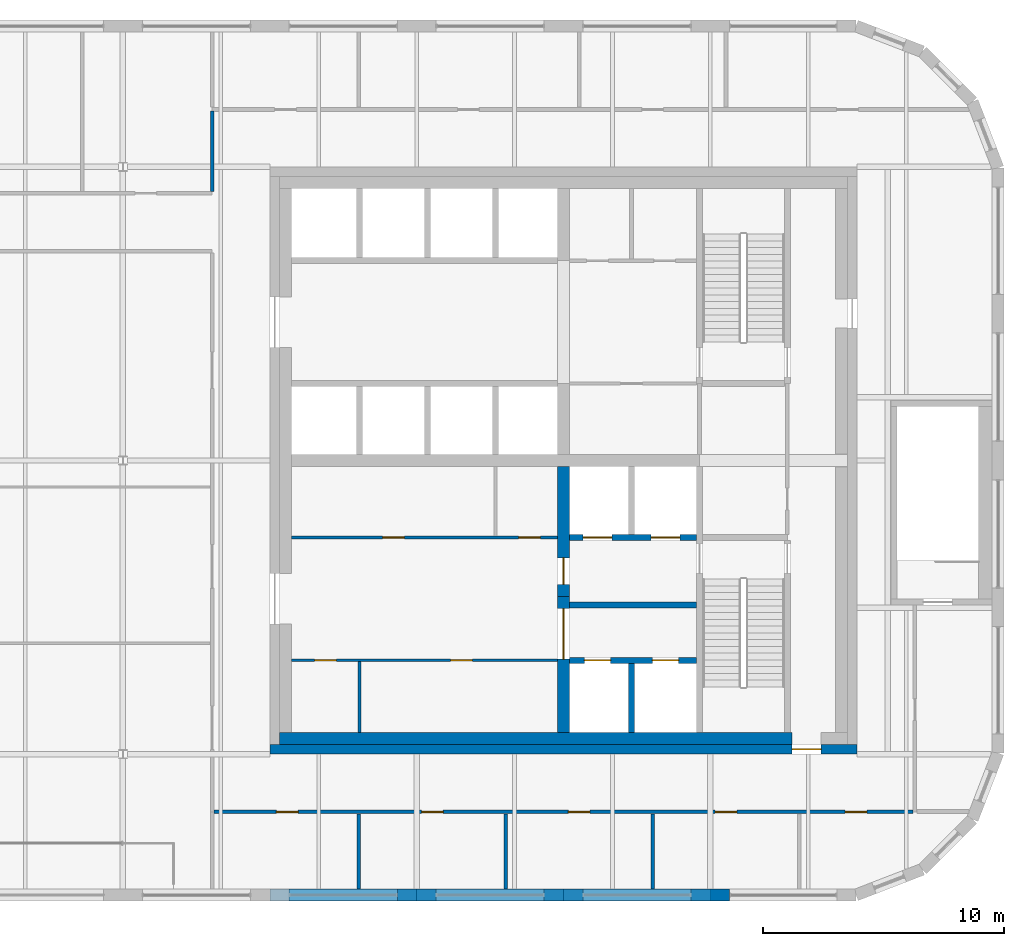
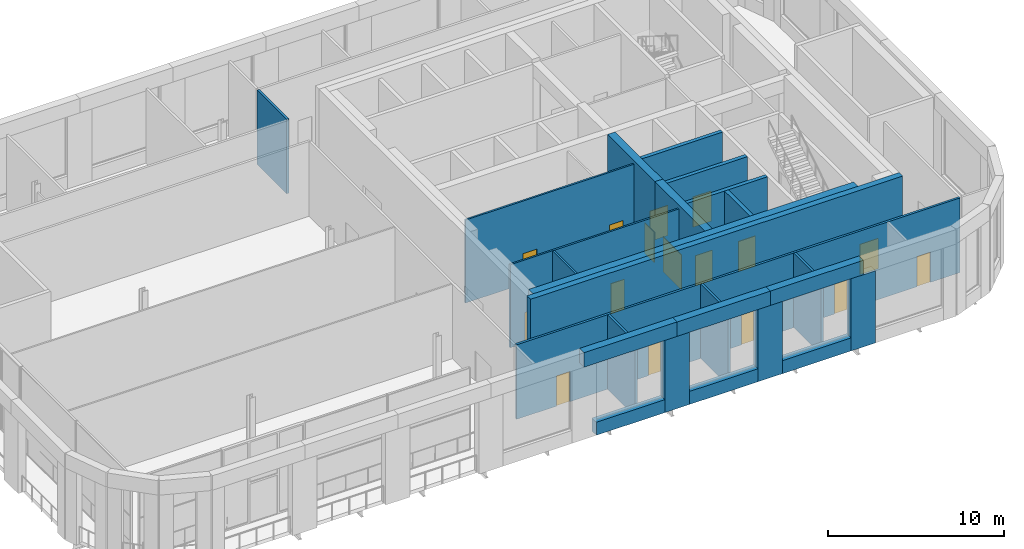
# One storey, part 13 of 19: 25 walls, 16 doors, 16 openings.
"""IFC4 building model written with IfcOpenShell, lengths in metres."""

from ifc_helpers import new_model, si_unit, direction, frame, frame_2d, origin, place, context, subcontext, project, spatial, polyline, rectangle, outline, extrude, faceted_brep, source, transform, mapped, material, layer, layer_set, type_object, element, fill, save


model = new_model("IFC4")

# Units and contexts
model_context = context("Model", 3, precision=1e-05, world=origin(), true_north=direction((0.0, 1.0)))
body_context = subcontext(model_context, "Body", "Model", "MODEL_VIEW")
ifc_project = project(units=[si_unit("LENGTHUNIT", "METRE"), si_unit("AREAUNIT", "SQUARE_METRE"), si_unit("VOLUMEUNIT", "CUBIC_METRE"), si_unit("PLANEANGLEUNIT", "RADIAN"), si_unit("MASSUNIT", "GRAM", prefix="KILO")], contexts=[model_context])

# Site, building, storey
site_placement = place(None, origin())
site = spatial("IfcSite", under=ifc_project, at=site_placement, CompositionType="ELEMENT")
building_placement = place(site_placement, origin())
building = spatial("IfcBuilding", under=site, at=building_placement, Name="Tessera Gate Towers", CompositionType="ELEMENT")
storey_placement = place(building_placement, frame((0.0, 0.0, 259.699951171875)))
storey = spatial("IfcBuildingStorey", under=building, at=storey_placement, Name="L65", CompositionType="ELEMENT", Elevation=259.699951171875)

# Wall, openings, doors
ifc_material_1 = material(Name="Concrete C40/50", Category="concrete")
ifc_layer_1 = layer(ifc_material_1, 0.25)
ifc_layer_set_1 = layer_set([ifc_layer_1], Name="CORE ENCLOSURE WALL 250")
wall_type_1 = type_object("IfcWallType", Name="CORE ENCLOSURE WALL 250", PredefinedType="SOLIDWALL", material=ifc_layer_set_1)
wall_1_placement = place(storey_placement, frame((48.22509765625, 33.39990234375, 0.0), z_axis=(0.0, 0.0, 1.0), x_axis=(-1.0, 0.0, 0.0)))
wall_1 = element("IfcWall", 1, at=wall_1_placement, inside=storey, type_object=wall_type_1, Name="L65 shaft and stair enclosure wall", PredefinedType="SOLIDWALL", context=body_context, shape_type="SweptSolid", body=[
    extrude(rectangle(XDim=5.275146484375, YDim=0.25, at=frame_2d((2.6376953125, 0.0))), origin(), (0.0, 0.0, 1.0), 6.0),
])
shared_shape_1 = source(origin(), body_context, "Body", "SweptSolid", [
    extrude(rectangle(XDim=1.199951171875, YDim=2.10009765625, at=frame_2d((0.60009765625, 1.050048828125))), frame((0.0, 0.135009765625, 0.0), z_axis=(0.0, -1.0, 0.0), x_axis=(1.0, 0.0, 0.0)), (0.0, 0.0, 1.0), 0.27001953125),
])
opening_1_placement = place(wall_1_placement, frame((3.512451171875, 0.0, 0.0)))
opening_1 = element("IfcOpeningElement", 2, at=opening_1_placement, cuts=wall_1, Name="Opening LD-FF1", PredefinedType="OPENING", context=body_context, shape_type="MappedRepresentation", body=[
    mapped(shared_shape_1, transform((0.0, 0.0, 0.0), scale=1.0)),
])
opening_2_placement = place(wall_1_placement, frame((0.6875, 0.0, 0.0)))
opening_2 = element("IfcOpeningElement", 3, at=opening_2_placement, cuts=wall_1, Name="Opening LD-FF2", PredefinedType="OPENING", context=body_context, shape_type="MappedRepresentation", body=[
    mapped(shared_shape_1, transform((0.0, 0.0, 0.0), scale=1.0)),
])
ifc_material_2 = material(Name="Stainless steel", Category="steel")
door_type_1 = type_object("IfcDoorType", Name="CORE DOOR LD1200 1200x2100", OperationType="DOUBLE_DOOR_SLIDING", PredefinedType="DOOR", material=ifc_material_2)
shared_shape_2 = source(origin(), body_context, "Body", "SweptSolid", [
    extrude(rectangle(XDim=1.199951171875, YDim=2.10009765625, at=frame_2d((0.60009765625, 1.050048828125))), frame((0.0, 0.02490234375, 0.0), z_axis=(0.0, -1.0, 0.0), x_axis=(1.0, 0.0, 0.0)), (0.0, 0.0, 1.0), 0.050048828125),
])
door_1_placement = place(opening_1_placement, origin())
door_1 = element("IfcDoor", 4, at=door_1_placement, inside=storey, type_object=door_type_1, Name="Landing door FF1 L65", OperationType="DOUBLE_DOOR_SLIDING", OverallHeight=2.10009765625, OverallWidth=1.199951171875, PredefinedType="DOOR", context=body_context, shape_type="MappedRepresentation", body=[
    mapped(shared_shape_2, transform((0.0, 0.0, 0.0), scale=1.0)),
])
fill(opening_1, door_1)
door_2_placement = place(opening_2_placement, origin())
door_2 = element("IfcDoor", 5, at=door_2_placement, inside=storey, type_object=door_type_1, Name="Landing door FF2 L65", OperationType="DOUBLE_DOOR_SLIDING", OverallHeight=2.10009765625, OverallWidth=1.199951171875, PredefinedType="DOOR", context=body_context, shape_type="MappedRepresentation", body=[
    mapped(shared_shape_2, transform((0.0, 0.0, 0.0), scale=1.0)),
])
fill(opening_2, door_2)

wall_2_placement = place(storey_placement, frame((42.949951171875, 28.300048828125, 0.0), z_axis=(0.0, 0.0, 1.0), x_axis=(1.0, 0.0, 0.0)))
wall_2 = element("IfcWall", 6, at=wall_2_placement, inside=storey, type_object=wall_type_1, Name="L65 shaft and stair enclosure wall", PredefinedType="SOLIDWALL", context=body_context, shape_type="SweptSolid", body=[
    extrude(rectangle(XDim=5.275146484375, YDim=0.25, at=frame_2d((2.6376953125, 0.0))), origin(), (0.0, 0.0, 1.0), 6.0),
])
shared_shape_3 = source(origin(), body_context, "Body", "SweptSolid", [
    extrude(rectangle(XDim=1.10009765625, YDim=2.10009765625, at=frame_2d((0.550048828125, 1.050048828125))), frame((0.0, 0.135009765625, 0.0), z_axis=(0.0, -1.0, 0.0), x_axis=(1.0, 0.0, 0.0)), (0.0, 0.0, 1.0), 0.27001953125),
])
opening_3_placement = place(wall_2_placement, frame((0.612548828125, 0.0, 0.0)))
opening_3 = element("IfcOpeningElement", 7, at=opening_3_placement, cuts=wall_2, Name="Opening LD-OB1", PredefinedType="OPENING", context=body_context, shape_type="MappedRepresentation", body=[
    mapped(shared_shape_3, transform((0.0, 0.0, 0.0), scale=1.0)),
])
opening_4_placement = place(wall_2_placement, frame((3.4375, 0.0, 0.0)))
opening_4 = element("IfcOpeningElement", 8, at=opening_4_placement, cuts=wall_2, Name="Opening LD-OB2", PredefinedType="OPENING", context=body_context, shape_type="MappedRepresentation", body=[
    mapped(shared_shape_3, transform((0.0, 0.0, 0.0), scale=1.0)),
])
ifc_material_3 = material(Name="Stainless steel", Category="steel")
door_type_2 = type_object("IfcDoorType", Name="CORE DOOR LD 1100x2100", OperationType="DOUBLE_DOOR_SLIDING", PredefinedType="DOOR", material=ifc_material_3)
shared_shape_4 = source(origin(), body_context, "Body", "SweptSolid", [
    extrude(rectangle(XDim=1.10009765625, YDim=2.10009765625, at=frame_2d((0.550048828125, 1.050048828125))), frame((0.0, 0.02490234375, 0.0), z_axis=(0.0, -1.0, 0.0), x_axis=(1.0, 0.0, 0.0)), (0.0, 0.0, 1.0), 0.050048828125),
])
door_3_placement = place(opening_3_placement, origin())
door_3 = element("IfcDoor", 9, at=door_3_placement, inside=storey, type_object=door_type_2, Name="Landing door OB1 L65", OperationType="DOUBLE_DOOR_SLIDING", OverallHeight=2.10009765625, OverallWidth=1.10009765625, PredefinedType="DOOR", context=body_context, shape_type="MappedRepresentation", body=[
    mapped(shared_shape_4, transform((0.0, 0.0, 0.0), scale=1.0)),
])
fill(opening_3, door_3)
door_4_placement = place(opening_4_placement, origin())
door_4 = element("IfcDoor", 10, at=door_4_placement, inside=storey, type_object=door_type_2, Name="Landing door OB2 L65", OperationType="DOUBLE_DOOR_SLIDING", OverallHeight=2.10009765625, OverallWidth=1.10009765625, PredefinedType="DOOR", context=body_context, shape_type="MappedRepresentation", body=[
    mapped(shared_shape_4, transform((0.0, 0.0, 0.0), scale=1.0)),
])
fill(opening_4, door_4)

# Walls
wall_3_placement = place(storey_placement, frame((42.949951171875, 30.60009765625, 0.0), z_axis=(0.0, 0.0, 1.0), x_axis=(1.0, 0.0, 0.0)))
element("IfcWall", 11, at=wall_3_placement, inside=storey, type_object=wall_type_1, Name="L65 shaft and stair enclosure wall", PredefinedType="SOLIDWALL", context=body_context, shape_type="SweptSolid", body=[
    extrude(rectangle(XDim=5.275146484375, YDim=0.25, at=frame_2d((2.6376953125, 0.0))), origin(), (0.0, 0.0, 1.0), 6.0),
])
wall_4_placement = place(storey_placement, frame((45.52490234375, 25.300048828125, 0.0), z_axis=(0.0, 0.0, 1.0), x_axis=(0.0, 1.0, 0.0)))
element("IfcWall", 12, at=wall_4_placement, inside=storey, type_object=wall_type_1, Name="L65 shaft and stair enclosure wall", PredefinedType="SOLIDWALL", context=body_context, shape_type="SweptSolid", body=[
    extrude(rectangle(XDim=2.875, YDim=0.25, at=frame_2d((1.4375, 0.0))), origin(), (0.0, 0.0, 1.0), 6.0),
])

# Wall, openings, doors
ifc_material_4 = material(Name="Gypsum board on steel studs", Category="steel")
ifc_layer_2 = layer(ifc_material_4, 0.1201171875)
ifc_layer_set_2 = layer_set([ifc_layer_2], Name="CORE PARTITION 120")
wall_type_2 = type_object("IfcWallType", Name="CORE PARTITION 120", PredefinedType="PARTITIONING", material=ifc_layer_set_2)
wall_5_placement = place(storey_placement, frame((42.449951171875, 28.300048828125, 0.0), z_axis=(0.0, 0.0, 1.0), x_axis=(-1.0, 0.0, 0.0)))
wall_5 = element("IfcWall", 13, at=wall_5_placement, inside=storey, type_object=wall_type_2, Name="L65 core partition", PredefinedType="PARTITIONING", context=body_context, shape_type="SweptSolid", body=[
    extrude(rectangle(XDim=11.050048828125, YDim=0.1201171875, at=frame_2d((5.52490234375, 0.0))), origin(), (0.0, 0.0, 1.0), 5.75),
])
shared_shape_5 = source(origin(), body_context, "Body", "SweptSolid", [
    extrude(rectangle(XDim=0.89990234375, YDim=2.10009765625, at=frame_2d((0.449951171875, 1.050048828125))), frame((0.0, 0.070068359375, 0.0), z_axis=(0.0, -1.0, 0.0), x_axis=(1.0, 0.0, 0.0)), (0.0, 0.0, 1.0), 0.14013671875),
])
opening_5_placement = place(wall_5_placement, frame((9.1875, 0.0, 0.0)))
opening_5 = element("IfcOpeningElement", 14, at=opening_5_placement, cuts=wall_5, Name="Opening RD-T1-39-07", PredefinedType="OPENING", context=body_context, shape_type="MappedRepresentation", body=[
    mapped(shared_shape_5, transform((0.0, 0.0, 0.0), scale=1.0)),
])
opening_6_placement = place(wall_5_placement, frame((3.53759765625, 0.0, 0.0)))
opening_6 = element("IfcOpeningElement", 15, at=opening_6_placement, cuts=wall_5, Name="Opening RD-T1-39-08", PredefinedType="OPENING", context=body_context, shape_type="MappedRepresentation", body=[
    mapped(shared_shape_5, transform((0.0, 0.0, 0.0), scale=1.0)),
])
ifc_material_5 = material(Name="Hollow steel fire door", Category="steel")
door_type_3 = type_object("IfcDoorType", Name="CORE DOOR RD 900x2100", OperationType="NOTDEFINED", PredefinedType="DOOR", material=ifc_material_5)
shared_shape_6 = source(origin(), body_context, "Body", "SweptSolid", [
    extrude(rectangle(XDim=0.89990234375, YDim=2.10009765625, at=frame_2d((0.449951171875, 1.050048828125))), frame((0.0, 0.02490234375, 0.0), z_axis=(0.0, -1.0, 0.0), x_axis=(1.0, 0.0, 0.0)), (0.0, 0.0, 1.0), 0.050048828125),
])
door_5_placement = place(opening_5_placement, origin())
door_5 = element("IfcDoor", 16, at=door_5_placement, inside=storey, type_object=door_type_3, Name="Core room door", OperationType="SINGLE_SWING_RIGHT", OverallHeight=2.10009765625, OverallWidth=0.89990234375, PredefinedType="DOOR", context=body_context, shape_type="MappedRepresentation", body=[
    mapped(shared_shape_6, transform((0.0, 0.0, 0.0), scale=1.0)),
])
fill(opening_5, door_5)
door_6_placement = place(opening_6_placement, origin())
door_6 = element("IfcDoor", 17, at=door_6_placement, inside=storey, type_object=door_type_3, Name="Core room door", OperationType="SINGLE_SWING_LEFT", OverallHeight=2.10009765625, OverallWidth=0.89990234375, PredefinedType="DOOR", context=body_context, shape_type="MappedRepresentation", body=[
    mapped(shared_shape_6, transform((0.0, 0.0, 0.0), scale=1.0)),
])
fill(opening_6, door_6)

wall_6_placement = place(storey_placement, frame((31.39990234375, 33.39990234375, 0.0), z_axis=(0.0, 0.0, 1.0), x_axis=(1.0, 0.0, 0.0)))
wall_6 = element("IfcWall", 18, at=wall_6_placement, inside=storey, type_object=wall_type_2, Name="L65 core partition", PredefinedType="PARTITIONING", context=body_context, shape_type="SweptSolid", body=[
    extrude(rectangle(XDim=11.050048828125, YDim=0.1201171875, at=frame_2d((5.52490234375, 0.0))), origin(), (0.0, 0.0, 1.0), 5.75),
])
opening_7_placement = place(wall_6_placement, frame((3.78759765625, 0.0, 0.0)))
opening_7 = element("IfcOpeningElement", 19, at=opening_7_placement, cuts=wall_6, Name="Opening RD-T1-39-09", PredefinedType="OPENING", context=body_context, shape_type="MappedRepresentation", body=[
    mapped(shared_shape_5, transform((0.0, 0.0, 0.0), scale=1.0)),
])
opening_8_placement = place(wall_6_placement, frame((9.4375, 0.0, 0.0)))
opening_8 = element("IfcOpeningElement", 20, at=opening_8_placement, cuts=wall_6, Name="Opening RD-T1-39-10", PredefinedType="OPENING", context=body_context, shape_type="MappedRepresentation", body=[
    mapped(shared_shape_5, transform((0.0, 0.0, 0.0), scale=1.0)),
])
door_7_placement = place(opening_7_placement, origin())
door_7 = element("IfcDoor", 21, at=door_7_placement, inside=storey, type_object=door_type_3, Name="Core room door", OperationType="SINGLE_SWING_LEFT", OverallHeight=2.10009765625, OverallWidth=0.89990234375, PredefinedType="DOOR", context=body_context, shape_type="MappedRepresentation", body=[
    mapped(shared_shape_6, transform((0.0, 0.0, 0.0), scale=1.0)),
])
fill(opening_7, door_7)
door_8_placement = place(opening_8_placement, origin())
door_8 = element("IfcDoor", 22, at=door_8_placement, inside=storey, type_object=door_type_3, Name="Core room door", OperationType="SINGLE_SWING_RIGHT", OverallHeight=2.10009765625, OverallWidth=0.89990234375, PredefinedType="DOOR", context=body_context, shape_type="MappedRepresentation", body=[
    mapped(shared_shape_6, transform((0.0, 0.0, 0.0), scale=1.0)),
])
fill(opening_8, door_8)

# Wall
wall_7_placement = place(storey_placement, frame((34.22509765625, 25.300048828125, 0.0), z_axis=(0.0, 0.0, 1.0), x_axis=(0.0, 1.0, 0.0)))
element("IfcWall", 23, at=wall_7_placement, inside=storey, type_object=wall_type_2, Name="L65 core partition", PredefinedType="PARTITIONING", context=body_context, shape_type="SweptSolid", body=[
    extrude(rectangle(XDim=2.93994140625, YDim=0.1201171875, at=frame_2d((1.469970703125, 0.0))), origin(), (0.0, 0.0, 1.0), 5.75),
])

# Wall, opening, door
ifc_material_6 = material(Name="Concrete C40/50", Category="concrete")
ifc_layer_3 = layer(ifc_material_6, 0.39990234375)
ifc_layer_set_3 = layer_set([ifc_layer_3], Name="CORE SHEAR WALL 400 C40/50")
wall_type_3 = type_object("IfcWallType", Name="CORE SHEAR WALL 400 C40/50", PredefinedType="SHEAR", material=ifc_layer_set_3)
wall_8_placement = place(storey_placement, frame((54.89990234375, 24.60009765625, 0.0), z_axis=(0.0, 0.0, 1.0), x_axis=(-1.0, 0.0, 0.0)))
wall_8 = element("IfcWall", 24, at=wall_8_placement, inside=storey, type_object=wall_type_3, Name="Core wall S L65", PredefinedType="SHEAR", context=body_context, shape_type="SweptSolid", body=[
    extrude(rectangle(XDim=24.39990234375, YDim=0.39990234375, at=frame_2d((12.199951171875, 0.0))), origin(), (0.0, 0.0, 1.0), 6.0),
])
shared_shape_7 = source(origin(), body_context, "Body", "SweptSolid", [
    extrude(rectangle(XDim=1.199951171875, YDim=2.10009765625, at=frame_2d((0.60009765625, 1.050048828125))), frame((0.0, 0.2099609375, 0.0), z_axis=(0.0, -1.0, 0.0), x_axis=(1.0, 0.0, 0.0)), (0.0, 0.0, 1.0), 0.419921875),
])
opening_9_placement = place(wall_8_placement, frame((1.5, 0.0, 0.0)))
opening_9 = element("IfcOpeningElement", 25, at=opening_9_placement, cuts=wall_8, Name="Opening ED-T1-39-01", PredefinedType="OPENING", context=body_context, shape_type="MappedRepresentation", body=[
    mapped(shared_shape_7, transform((0.0, 0.0, 0.0), scale=1.0)),
])
ifc_material_7 = material(Name="Hollow steel fire door", Category="steel")
door_type_4 = type_object("IfcDoorType", Name="CORE DOOR ED 1200x2100", OperationType="NOTDEFINED", PredefinedType="DOOR", material=ifc_material_7)
door_9_placement = place(opening_9_placement, origin())
door_9 = element("IfcDoor", 26, at=door_9_placement, inside=storey, type_object=door_type_4, Name="Core exit door", OperationType="SINGLE_SWING_LEFT", OverallHeight=2.10009765625, OverallWidth=1.199951171875, PredefinedType="DOOR", context=body_context, shape_type="MappedRepresentation", body=[
    mapped(shared_shape_2, transform((0.0, 0.0, 0.0), scale=1.0)),
])
fill(opening_9, door_9)

ifc_material_8 = material(Name="Concrete C40/50", Category="concrete")
ifc_layer_4 = layer(ifc_material_8, 0.5)
ifc_layer_set_4 = layer_set([ifc_layer_4], Name="CORE SPINE WALL 500 C40/50")
wall_type_4 = type_object("IfcWallType", Name="CORE SPINE WALL 500 C40/50", PredefinedType="SHEAR", material=ifc_layer_set_4)
wall_9_placement = place(storey_placement, frame((42.699951171875, 25.300048828125, 0.0), z_axis=(0.0, 0.0, 1.0), x_axis=(0.0, 1.0, 0.0)))
wall_9 = element("IfcWall", 27, at=wall_9_placement, inside=storey, type_object=wall_type_4, Name="Core wall spine L65", PredefinedType="SHEAR", context=body_context, shape_type="SweptSolid", body=[
    extrude(rectangle(XDim=5.64990234375, YDim=0.5, at=frame_2d((2.824951171875, 0.0))), origin(), (0.0, 0.0, 1.0), 6.0),
])
shared_shape_8 = source(origin(), body_context, "Body", "SweptSolid", [
    extrude(rectangle(XDim=2.10009765625, YDim=2.39990234375, at=frame_2d((1.050048828125, 1.199951171875))), frame((0.0, 0.260009765625, 0.0), z_axis=(0.0, -1.0, 0.0), x_axis=(1.0, 0.0, 0.0)), (0.0, 0.0, 1.0), 0.52001953125),
])
opening_10_placement = place(wall_9_placement, frame((3.050048828125, 0.0, 0.0)))
opening_10 = element("IfcOpeningElement", 28, at=opening_10_placement, cuts=wall_9, Name="Opening DD-T1-39-05", PredefinedType="OPENING", context=body_context, shape_type="MappedRepresentation", body=[
    mapped(shared_shape_8, transform((0.0, 0.0, 0.0), scale=1.0)),
])
ifc_material_9 = material(Name="Hollow steel fire door", Category="steel")
door_type_5 = type_object("IfcDoorType", Name="CORE DOOR DD 2100x2400", OperationType="NOTDEFINED", PredefinedType="DOOR", material=ifc_material_9)
shared_shape_9 = source(origin(), body_context, "Body", "SweptSolid", [
    extrude(rectangle(XDim=2.10009765625, YDim=2.39990234375, at=frame_2d((1.050048828125, 1.199951171875))), frame((0.0, 0.02490234375, 0.0), z_axis=(0.0, -1.0, 0.0), x_axis=(1.0, 0.0, 0.0)), (0.0, 0.0, 1.0), 0.050048828125),
])
door_10_placement = place(opening_10_placement, origin())
door_10 = element("IfcDoor", 29, at=door_10_placement, inside=storey, type_object=door_type_5, Name="Lift lobby door", OperationType="DOUBLE_DOOR_SINGLE_SWING", OverallHeight=2.39990234375, OverallWidth=2.10009765625, PredefinedType="DOOR", context=body_context, shape_type="MappedRepresentation", body=[
    mapped(shared_shape_9, transform((0.0, 0.0, 0.0), scale=1.0)),
])
fill(opening_10, door_10)

wall_10_placement = place(storey_placement, frame((42.699951171875, 36.35009765625, 0.0), z_axis=(0.0, 0.0, 1.0), x_axis=(0.0, -1.0, 0.0)))
wall_10 = element("IfcWall", 30, at=wall_10_placement, inside=storey, type_object=wall_type_4, Name="Core wall spine L65", PredefinedType="SHEAR", context=body_context, shape_type="SweptSolid", body=[
    extrude(rectangle(XDim=5.400146484375, YDim=0.5, at=frame_2d((2.7001953125, 0.0))), origin(), (0.0, 0.0, 1.0), 6.0),
])
shared_shape_10 = source(origin(), body_context, "Body", "SweptSolid", [
    extrude(rectangle(XDim=1.10009765625, YDim=2.10009765625, at=frame_2d((0.550048828125, 1.050048828125))), frame((0.0, 0.260009765625, 0.0), z_axis=(0.0, -1.0, 0.0), x_axis=(1.0, 0.0, 0.0)), (0.0, 0.0, 1.0), 0.52001953125),
])
opening_11_placement = place(wall_10_placement, frame((3.800048828125, 0.0, 0.0)))
opening_11 = element("IfcOpeningElement", 31, at=opening_11_placement, cuts=wall_10, Name="Opening FD-T1-39-06", PredefinedType="OPENING", context=body_context, shape_type="MappedRepresentation", body=[
    mapped(shared_shape_10, transform((0.0, 0.0, 0.0), scale=1.0)),
])
ifc_material_10 = material(Name="Hollow steel fire door", Category="steel")
door_type_6 = type_object("IfcDoorType", Name="CORE DOOR FD 1100x2100", OperationType="NOTDEFINED", PredefinedType="DOOR", material=ifc_material_10)
door_11_placement = place(opening_11_placement, origin())
door_11 = element("IfcDoor", 32, at=door_11_placement, inside=storey, type_object=door_type_6, Name="Fire-fighting lobby door", OperationType="SINGLE_SWING_RIGHT", OverallHeight=2.10009765625, OverallWidth=1.10009765625, PredefinedType="DOOR", context=body_context, shape_type="MappedRepresentation", body=[
    mapped(shared_shape_4, transform((0.0, 0.0, 0.0), scale=1.0)),
])
fill(opening_11, door_11)

# Wall
ifc_material_11 = material(Name="Concrete C40/50", Category="concrete")
ifc_layer_5 = layer(ifc_material_11, 0.5)
ifc_layer_set_5 = layer_set([ifc_layer_5], Name="CORE WALL THICKENING 500")
wall_type_5 = type_object("IfcWallType", Name="CORE WALL THICKENING 500", PredefinedType="SOLIDWALL", material=ifc_layer_set_5)
wall_11_placement = place(storey_placement, frame((30.89990234375, 25.050048828125, 0.0), z_axis=(0.0, 0.0, 1.0), x_axis=(1.0, 0.0, 0.0)))
element("IfcWall", 33, at=wall_11_placement, inside=storey, type_object=wall_type_5, Name="Core wall thickening S L65", PredefinedType="SOLIDWALL", context=body_context, shape_type="SweptSolid", body=[
    extrude(rectangle(XDim=21.300048828125, YDim=0.5, at=frame_2d((10.64990234375, 0.0))), origin(), (0.0, 0.0, 1.0), 6.0),
])

# Wall, openings, doors
ifc_material_12 = material(Name="Gypsum board on steel studs, mineral wool", Category="steel")
ifc_layer_6 = layer(ifc_material_12, 0.14990234375)
ifc_layer_set_6 = layer_set([ifc_layer_6], Name="CORRIDOR WALL 150")
wall_type_6 = type_object("IfcWallType", Name="CORRIDOR WALL 150", PredefinedType="PARTITIONING", material=ifc_layer_set_6)
wall_12_placement = place(storey_placement, frame((57.22412109375, 22.0, 0.0), z_axis=(0.0, 0.0, 1.0), x_axis=(-1.0, 0.0, 0.0)))
wall_12 = element("IfcWall", 34, at=wall_12_placement, inside=storey, type_object=wall_type_6, Name="T1-L65-PW-007", PredefinedType="PARTITIONING", context=body_context, shape_type="SweptSolid", body=[
    extrude(rectangle(XDim=29.048095703125, YDim=0.14990234375, at=frame_2d((14.52392578125, 0.0))), origin(), (0.0, 0.0, 1.0), 5.1669921875),
])
shared_shape_11 = source(origin(), body_context, "Body", "SweptSolid", [
    extrude(rectangle(XDim=0.89990234375, YDim=2.10009765625, at=frame_2d((0.449951171875, 1.050048828125))), frame((0.0, 0.0849609375, 0.0), z_axis=(0.0, -1.0, 0.0), x_axis=(1.0, 0.0, 0.0)), (0.0, 0.0, 1.0), 0.169921875),
])
opening_12_placement = place(wall_12_placement, frame((1.923095703125, 0.0, 0.0)))
opening_12 = element("IfcOpeningElement", 35, at=opening_12_placement, cuts=wall_12, Name="Opening D890FD60-A34-01", PredefinedType="OPENING", context=body_context, shape_type="MappedRepresentation", body=[
    mapped(shared_shape_11, transform((0.0, 0.0, 0.0), scale=1.0)),
])
opening_13_placement = place(wall_12_placement, frame((25.548095703125, 0.0, 0.0)))
opening_13 = element("IfcOpeningElement", 36, at=opening_13_placement, cuts=wall_12, Name="Opening D890FD60-A34-03", PredefinedType="OPENING", context=body_context, shape_type="MappedRepresentation", body=[
    mapped(shared_shape_11, transform((0.0, 0.0, 0.0), scale=1.0)),
])
opening_14_placement = place(wall_12_placement, frame((19.52294921875, 0.0, 0.0)))
opening_14 = element("IfcOpeningElement", 37, at=opening_14_placement, cuts=wall_12, Name="Opening D890FD60-A34-05", PredefinedType="OPENING", context=body_context, shape_type="MappedRepresentation", body=[
    mapped(shared_shape_11, transform((0.0, 0.0, 0.0), scale=1.0)),
])
opening_15_placement = place(wall_12_placement, frame((7.322998046875, 0.0, 0.0)))
opening_15 = element("IfcOpeningElement", 38, at=opening_15_placement, cuts=wall_12, Name="Opening D890FD60-A34-08", PredefinedType="OPENING", context=body_context, shape_type="MappedRepresentation", body=[
    mapped(shared_shape_11, transform((0.0, 0.0, 0.0), scale=1.0)),
])
opening_16_placement = place(wall_12_placement, frame((13.424072265625, 0.0, 0.0)))
opening_16 = element("IfcOpeningElement", 39, at=opening_16_placement, cuts=wall_12, Name="Opening D890FD60-A34-09", PredefinedType="OPENING", context=body_context, shape_type="MappedRepresentation", body=[
    mapped(shared_shape_11, transform((0.0, 0.0, 0.0), scale=1.0)),
])
ifc_material_13 = material(Name="Timber door leaf in steel frame", Category="steel")
door_type_7 = type_object("IfcDoorType", Name="CORRIDOR DOOR 900 FD60", OperationType="NOTDEFINED", PredefinedType="DOOR", material=ifc_material_13)
door_12_placement = place(opening_12_placement, origin())
door_12 = element("IfcDoor", 40, at=door_12_placement, inside=storey, type_object=door_type_7, Name="T1-L65-PD-001", OperationType="SINGLE_SWING_RIGHT", OverallHeight=2.10009765625, OverallWidth=0.89990234375, PredefinedType="DOOR", context=body_context, shape_type="MappedRepresentation", body=[
    mapped(shared_shape_6, transform((0.0, 0.0, 0.0), scale=1.0)),
])
fill(opening_12, door_12)
door_13_placement = place(opening_13_placement, origin())
door_13 = element("IfcDoor", 41, at=door_13_placement, inside=storey, type_object=door_type_7, Name="T1-L65-PD-003", OperationType="SINGLE_SWING_RIGHT", OverallHeight=2.10009765625, OverallWidth=0.89990234375, PredefinedType="DOOR", context=body_context, shape_type="MappedRepresentation", body=[
    mapped(shared_shape_6, transform((0.0, 0.0, 0.0), scale=1.0)),
])
fill(opening_13, door_13)
door_14_placement = place(opening_14_placement, origin())
door_14 = element("IfcDoor", 42, at=door_14_placement, inside=storey, type_object=door_type_7, Name="T1-L65-PD-005", OperationType="SINGLE_SWING_RIGHT", OverallHeight=2.10009765625, OverallWidth=0.89990234375, PredefinedType="DOOR", context=body_context, shape_type="MappedRepresentation", body=[
    mapped(shared_shape_6, transform((0.0, 0.0, 0.0), scale=1.0)),
])
fill(opening_14, door_14)
door_15_placement = place(opening_15_placement, origin())
door_15 = element("IfcDoor", 43, at=door_15_placement, inside=storey, type_object=door_type_7, Name="T1-L65-PD-008", OperationType="SINGLE_SWING_RIGHT", OverallHeight=2.10009765625, OverallWidth=0.89990234375, PredefinedType="DOOR", context=body_context, shape_type="MappedRepresentation", body=[
    mapped(shared_shape_6, transform((0.0, 0.0, 0.0), scale=1.0)),
])
fill(opening_15, door_15)
door_16_placement = place(opening_16_placement, origin())
door_16 = element("IfcDoor", 44, at=door_16_placement, inside=storey, type_object=door_type_7, Name="T1-L65-PD-009", OperationType="SINGLE_SWING_RIGHT", OverallHeight=2.10009765625, OverallWidth=0.89990234375, PredefinedType="DOOR", context=body_context, shape_type="MappedRepresentation", body=[
    mapped(shared_shape_6, transform((0.0, 0.0, 0.0), scale=1.0)),
])
fill(opening_16, door_16)

# Walls
wall_13_placement = place(storey_placement, frame((28.10009765625, 47.77587890625, 0.0), z_axis=(0.0, 0.0, 1.0), x_axis=(0.0, 1.0, 0.0)))
element("IfcWall", 45, at=wall_13_placement, inside=storey, type_object=wall_type_6, Name="T1-L65-PW-017", PredefinedType="PARTITIONING", context=body_context, shape_type="SweptSolid", body=[
    extrude(rectangle(XDim=3.34814453125, YDim=0.14990234375, at=frame_2d((1.674072265625, 0.0))), origin(), (0.0, 0.0, 1.0), 5.1669921875),
])
ifc_material_14 = material(Name="Gypsum board on steel studs, mineral wool", Category="steel")
ifc_layer_7 = layer(ifc_material_14, 0.14990234375)
ifc_layer_set_7 = layer_set([ifc_layer_7], Name="TENANCY WALL 150")
wall_type_7 = type_object("IfcWallType", Name="TENANCY WALL 150", PredefinedType="PARTITIONING", material=ifc_layer_set_7)
for number, where, z_axis, x_axis, name in (
    (46, (34.199951171875, 18.800048828125, 0.0), (0.0, 0.0, 1.0), (0.0, 1.0, 0.0), "T1-L65-PW-002"),
    (47, (40.300048828125, 18.800048828125, 0.0), (0.0, 0.0, 1.0), (0.0, 1.0, 0.0), "T1-L65-PW-003"),
    (48, (46.39990234375, 18.800048828125, 0.0), (0.0, 0.0, 1.0), (0.0, 1.0, 0.0), "T1-L65-PW-004"),
):
    element("IfcWall", number, at=place(storey_placement, frame(where, z_axis=z_axis, x_axis=x_axis)), inside=storey, type_object=wall_type_7, Name=name, PredefinedType="PARTITIONING", context=body_context, shape_type="SweptSolid", body=[
        extrude(rectangle(XDim=3.1240234375, YDim=0.14990234375, at=frame_2d((1.56201171875, 0.0))), origin(), (0.0, 0.0, 1.0), 5.1669921875),
    ])
ifc_material_15 = material(Name="Precast concrete C60/75 white", Category="concrete")
ifc_layer_8 = layer(ifc_material_15, 0.5)
ifc_layer_set_8 = layer_set([ifc_layer_8], Name="RB1 ring band panel")
wall_type_8 = type_object("IfcWallType", Name="RB1 ring band panel", PredefinedType="SOLIDWALL", material=ifc_layer_set_8)
shared_shape_12 = source(origin(), body_context, "Body", "SweptSolid", [
    extrude(outline(polyline([(0.0, 0.0), (4.5, 0.0), (4.5, 0.900146484375), (0.0, 0.900146484375), (0.0, 0.0)])), frame((0.0, 0.25, 0.0), z_axis=(0.0, -1.0, 0.0), x_axis=(1.0, 0.0, 0.0)), (0.0, 0.0, 1.0), 0.5),
])
for number, where, z_axis, x_axis, name in (
    (49, (31.300048828125, 18.550048828125, 0.0), (0.0, 0.0, 1.0), (1.0, 0.0, 0.0), "Ring band panel T1 RB1-0425"),
    (50, (37.39990234375, 18.550048828125, 0.0), (0.0, 0.0, 1.0), (1.0, 0.0, 0.0), "Ring band panel T1 RB1-0427"),
    (51, (43.5, 18.550048828125, 0.0), (0.0, 0.0, 1.0), (1.0, 0.0, 0.0), "Ring band panel T1 RB1-0429"),
):
    element("IfcWall", number, at=place(storey_placement, frame(where, z_axis=z_axis, x_axis=x_axis)), inside=storey, type_object=wall_type_8, Name=name, PredefinedType="SOLIDWALL", context=body_context, shape_type="MappedRepresentation", body=[
        mapped(shared_shape_12, transform((0.0, 0.0, 0.0), scale=1.0)),
    ])
shared_shape_13 = source(origin(), body_context, "Body", "SweptSolid", [
    extrude(outline(polyline([(0.0, 0.0), (1.60009765625, 0.0), (1.60009765625, 5.0), (0.0, 5.0), (0.0, 0.0)])), frame((0.0, 0.25, 0.0), z_axis=(0.0, -1.0, 0.0), x_axis=(1.0, 0.0, 0.0)), (0.0, 0.0, 1.0), 0.5),
])
for number, where, z_axis, x_axis, name in (
    (52, (41.89990234375, 18.550048828125, 0.0), (0.0, 0.0, 1.0), (1.0, 0.0, 0.0), "Ring band panel T1 RB1-0417"),
    (53, (48.0, 18.550048828125, 0.0), (0.0, 0.0, 1.0), (1.0, 0.0, 0.0), "Ring band panel T1 RB1-0418"),
):
    element("IfcWall", number, at=place(storey_placement, frame(where, z_axis=z_axis, x_axis=x_axis)), inside=storey, type_object=wall_type_8, Name=name, PredefinedType="SOLIDWALL", context=body_context, shape_type="MappedRepresentation", body=[
        mapped(shared_shape_13, transform((0.0, 0.0, 0.0), scale=1.0)),
    ])
shared_shape_14 = source(origin(), body_context, "Body", "Brep", [
    faceted_brep([(0.0, -0.25, 0.0), (1.599853515625, -0.25, 0.0), (1.599853515625, -0.25, 5.0), (0.0, -0.25, 5.0), (0.0, 0.25, 5.0), (1.599853515625, 0.25, 5.0), (1.599853515625, 0.25, 0.0), (0.0, 0.25, 0.0)], [[[0, 1, 2, 3]], [[4, 5, 6, 7]], [[7, 6, 1, 0]], [[5, 4, 3, 2]], [[4, 7, 0, 3]], [[1, 6, 5, 2]]]),
])
wall_14_placement = place(storey_placement, frame((35.800048828125, 18.550048828125, 0.0), z_axis=(0.0, 0.0, 1.0), x_axis=(1.0, 0.0, 0.0)))
element("IfcWall", 54, at=wall_14_placement, inside=storey, type_object=wall_type_8, Name="Ring band panel T1 RB1-0416", PredefinedType="SOLIDWALL", context=body_context, shape_type="MappedRepresentation", body=[
    mapped(shared_shape_14, transform((0.0, 0.0, 0.0), scale=1.0)),
])
shared_shape_15 = source(origin(), body_context, "Body", "SweptSolid", [
    extrude(outline(polyline([(0.0, 0.0), (6.10009765625, 0.0), (6.10009765625, 1.0), (0.0, 1.0), (0.0, 0.0)])), frame((0.0, 0.25, 0.0), z_axis=(0.0, -1.0, 0.0), x_axis=(1.0, 0.0, 0.0)), (0.0, 0.0, 1.0), 0.5),
])
for number, where, z_axis, x_axis, name in (
    (55, (30.5, 18.550048828125, 5.0), (0.0, 0.0, 1.0), (1.0, 0.0, 0.0), "Ring band panel T1 RB1-0426"),
    (56, (42.699951171875, 18.550048828125, 5.0), (0.0, 0.0, 1.0), (1.0, 0.0, 0.0), "Ring band panel T1 RB1-0430"),
):
    element("IfcWall", number, at=place(storey_placement, frame(where, z_axis=z_axis, x_axis=x_axis)), inside=storey, type_object=wall_type_8, Name=name, PredefinedType="SOLIDWALL", context=body_context, shape_type="MappedRepresentation", body=[
        mapped(shared_shape_15, transform((0.0, 0.0, 0.0), scale=1.0)),
    ])
shared_shape_16 = source(origin(), body_context, "Body", "Brep", [
    faceted_brep([(0.0, -0.25, 0.0), (6.099853515625, -0.25, 0.0), (6.099853515625, -0.25, 1.0), (0.0, -0.25, 1.0), (0.0, 0.25, 1.0), (6.099853515625, 0.25, 1.0), (6.099853515625, 0.25, 0.0), (0.0, 0.25, 0.0)], [[[0, 1, 2, 3]], [[4, 5, 6, 7]], [[7, 6, 1, 0]], [[5, 4, 3, 2]], [[4, 7, 0, 3]], [[1, 6, 5, 2]]]),
])
wall_15_placement = place(storey_placement, frame((36.60009765625, 18.550048828125, 5.0), z_axis=(0.0, 0.0, 1.0), x_axis=(1.0, 0.0, 0.0)))
element("IfcWall", 57, at=wall_15_placement, inside=storey, type_object=wall_type_8, Name="Ring band panel T1 RB1-0428", PredefinedType="SOLIDWALL", context=body_context, shape_type="MappedRepresentation", body=[
    mapped(shared_shape_16, transform((0.0, 0.0, 0.0), scale=1.0)),
])

save(model, "model.ifc")
